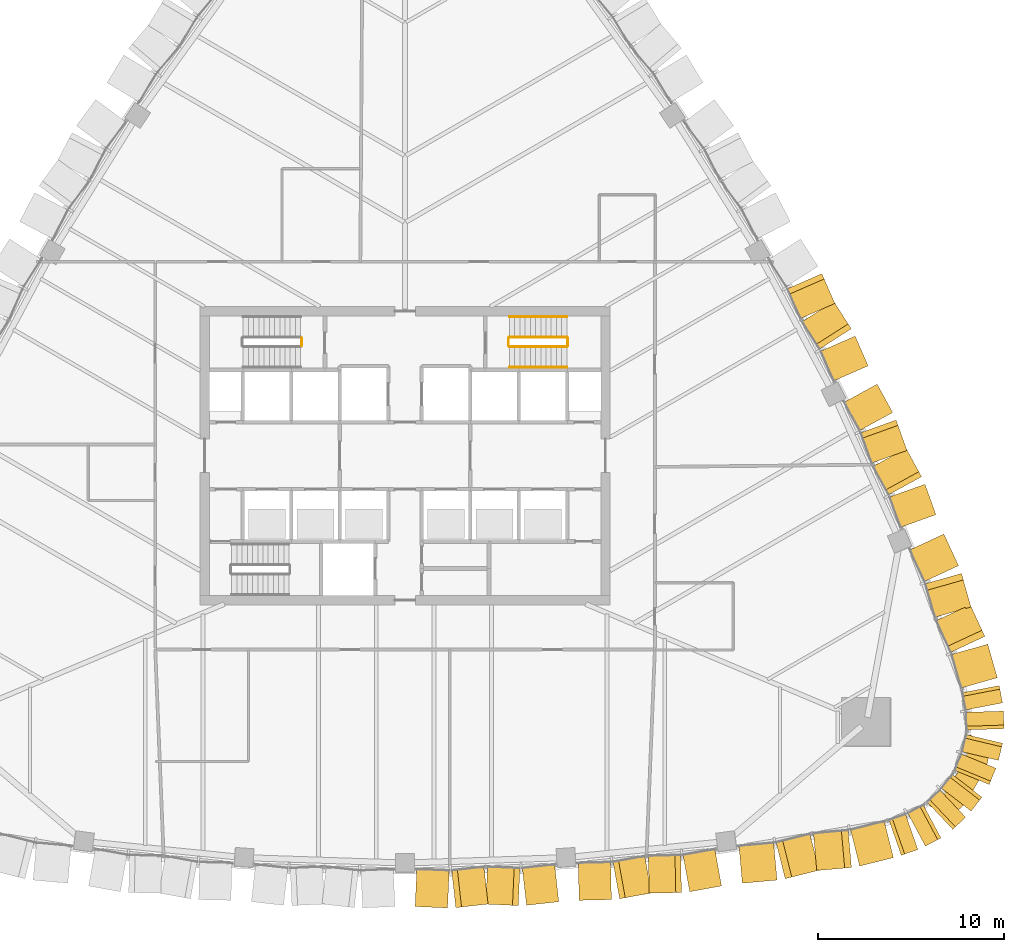
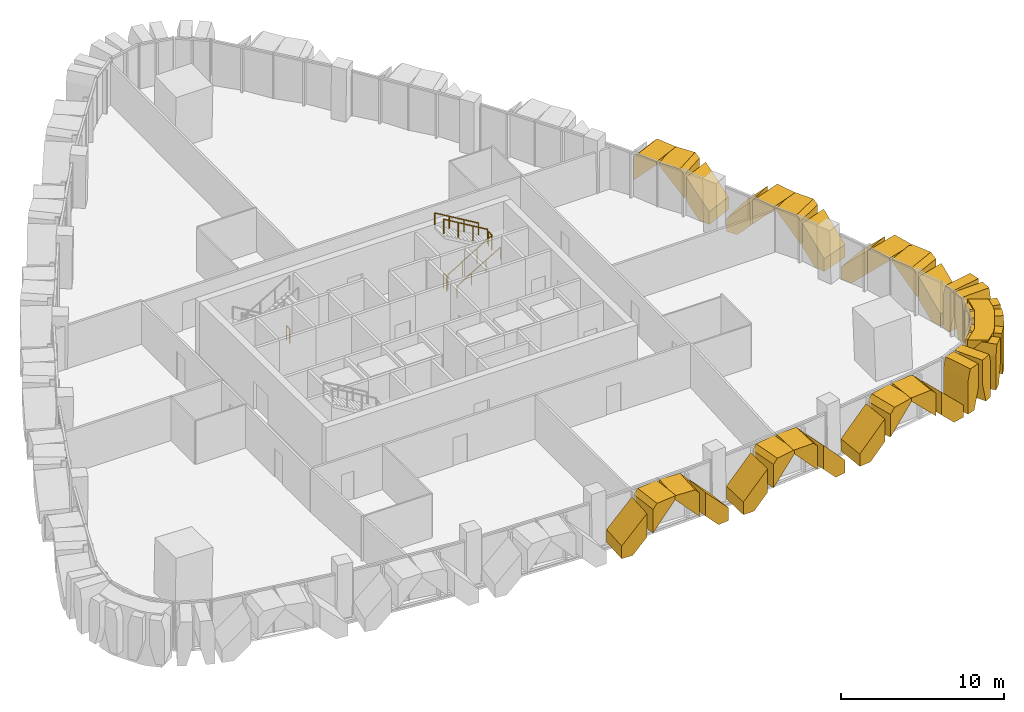
# One storey, part 16 of 18: 32 coverings, 7 railings.
"""IFC4 building model written with IfcOpenShell, lengths in metres."""

import ifcopenshell
import ifcopenshell.guid

model = None  # the IFC model being written
_history = None  # IfcOwnerHistory: only IFC2X3 demands one
_inside = {}  # id of a spatial element -> (the spatial element, [elements in it])
_under = {}  # id of a project, library or spatial element -> (it, [spatial elements below it])
_declared = {}  # id of a project -> (the project, [libraries it declares])
_typed = {}  # id of a type object -> (the type object, [elements of that type])
_made_of = {}  # id of a material, layer set ... -> (it, [elements and type objects made of it])


def new_model(schema):
    """Start an empty IFC model of exactly this schema.

    Asked for "IFC4X3", IfcOpenShell would pick the latest addendum, in which some entities
    have other attributes; the version numbers below select the first issue.
    IFC2X3 requires an IfcOwnerHistory on every rooted entity: one is made here for all.
    """
    global model, _history
    if schema == "IFC4X3":
        model = ifcopenshell.file(schema_version=(4, 3, 0, 0))
    else:
        model = ifcopenshell.file(schema=schema)
    _inside.clear()
    _under.clear()
    _declared.clear()
    _typed.clear()
    _made_of.clear()
    _history = None
    if model.schema == "IFC2X3":
        org = make("IfcOrganization", Name="unknown")
        user = make(
            "IfcPersonAndOrganization",
            ThePerson=make("IfcPerson", FamilyName="unknown"),
            TheOrganization=org,
        )
        app = make(
            "IfcApplication",
            ApplicationDeveloper=org,
            Version="unknown",
            ApplicationFullName="unknown",
            ApplicationIdentifier="unknown",
        )
        _history = make(
            "IfcOwnerHistory",
            OwningUser=user,
            OwningApplication=app,
            ChangeAction="ADDED",
            CreationDate=0,
        )
    return model


def make(cls, **values):
    """One entity of the class cls with the attributes given. An attribute that is None is left unset."""
    return model.create_entity(
        cls, **{name: value for name, value in values.items() if value is not None}
    )


def rooted(cls, **values):
    """An entity with a GlobalId (a new one), such as an element, a storey or a relation."""
    return make(cls, GlobalId=ifcopenshell.guid.new(), OwnerHistory=_history, **values)


def si_unit(unit_type, name, prefix=None):
    """IfcSIUnit, for example si_unit("LENGTHUNIT", "METRE", prefix="MILLI")."""
    return make("IfcSIUnit", UnitType=unit_type, Prefix=prefix, Name=name)


def assignment(units):
    """IfcUnitAssignment: the units of a project."""
    return None if units is None else make("IfcUnitAssignment", Units=units)


def point(xyz):
    """IfcCartesianPoint."""
    return None if xyz is None else make("IfcCartesianPoint", Coordinates=xyz)


def direction(xyz):
    """IfcDirection."""
    return None if xyz is None else make("IfcDirection", DirectionRatios=xyz)


def frame(location, z_axis=None, x_axis=None):
    """IfcAxis2Placement3D, a coordinate frame: its origin and axes. An axis left out is left unset."""
    return make(
        "IfcAxis2Placement3D",
        Location=point(location),
        Axis=direction(z_axis),
        RefDirection=direction(x_axis),
    )


def frame_2d(location, x_axis=None):
    """IfcAxis2Placement2D, a coordinate frame in the plane: its origin and x axis."""
    return make(
        "IfcAxis2Placement2D", Location=point(location), RefDirection=direction(x_axis)
    )


def origin():
    """The frame at (0, 0, 0) with its axes left unset."""
    return frame((0.0, 0.0, 0.0))


def origin_2d():
    """The frame at (0, 0) in the plane with its x axis left unset."""
    return frame_2d((0.0, 0.0))


def place(relative_to, where):
    """IfcLocalPlacement: puts the frame where relative to a parent placement (None: the world)."""
    return make(
        "IfcLocalPlacement", PlacementRelTo=relative_to, RelativePlacement=where
    )


def context(
    kind, dimensions, precision=None, world=None, true_north=None, identifier=None
):
    """IfcGeometricRepresentationContext, for example the 3D "Model" context."""
    return make(
        "IfcGeometricRepresentationContext",
        ContextIdentifier=identifier,
        ContextType=kind,
        CoordinateSpaceDimension=dimensions,
        Precision=precision,
        WorldCoordinateSystem=world,
        TrueNorth=true_north,
    )


def subcontext(parent, identifier, kind, view, scale=None):
    """IfcGeometricRepresentationSubContext, for example "Body" below "Model"."""
    return make(
        "IfcGeometricRepresentationSubContext",
        ContextIdentifier=identifier,
        ContextType=kind,
        ParentContext=parent,
        TargetScale=scale,
        TargetView=view,
    )


def project(units=None, contexts=None):
    """IfcProject with its units and contexts."""
    return rooted(
        "IfcProject",
        Name="project",
        RepresentationContexts=contexts,
        UnitsInContext=assignment(units),
    )


def spatial(cls, under=None, at=None, **own):
    """A site, building, storey or space (cls), placed at a placement, below another one or the project."""
    s = rooted(cls, ObjectPlacement=at, **own)
    if under is not None:
        _under.setdefault(under.id(), (under, []))[1].append(s)
    return s


def polyline(points):
    """IfcPolyline through the points."""
    return make("IfcPolyline", Points=[point(p) for p in points])


def profile(cls, at=None, kind="AREA", **sizes):
    """A parametric profile (cls). Its sizes go by their IFC names, for example OverallWidth=200.0."""
    return make(cls, ProfileType=kind, Position=at, **sizes)


def circle(**sizes):
    """IfcCircleProfileDef."""
    return profile("IfcCircleProfileDef", **sizes)


def outline(outer, holes=None, kind="AREA"):
    """IfcArbitraryClosedProfileDef: a profile drawn as a closed curve; with holes, ...WithVoids."""
    if holes is None:
        return make("IfcArbitraryClosedProfileDef", ProfileType=kind, OuterCurve=outer)
    return make(
        "IfcArbitraryProfileDefWithVoids",
        ProfileType=kind,
        OuterCurve=outer,
        InnerCurves=holes,
    )


def extrude(swept, where, along, depth):
    """IfcExtrudedAreaSolid: the profile swept, set in the frame where, extruded along a direction by depth."""
    return make(
        "IfcExtrudedAreaSolid",
        SweptArea=swept,
        Position=where,
        ExtrudedDirection=direction(along),
        Depth=depth,
    )


def shape(context_of_items, identifier, shape_type, items):
    """IfcShapeRepresentation: the items that make up one representation, for example the "Body"."""
    return make(
        "IfcShapeRepresentation",
        ContextOfItems=context_of_items,
        RepresentationIdentifier=identifier,
        RepresentationType=shape_type,
        Items=items,
    )


def material(Name=None, Category=None):
    """IfcMaterial."""
    return make("IfcMaterial", Name=Name, Category=Category)


def layer(
    of_material, thickness, ventilated=None, Name=None, Category=None, Priority=None
):
    """IfcMaterialLayer: one layer of a wall or slab, of a material (None: an air gap)."""
    return make(
        "IfcMaterialLayer",
        Material=of_material,
        LayerThickness=thickness,
        IsVentilated=ventilated,
        Name=Name,
        Category=Category,
        Priority=Priority,
    )


def layer_set(layers, Name=None):
    """IfcMaterialLayerSet."""
    return make("IfcMaterialLayerSet", MaterialLayers=layers, LayerSetName=Name)


def made_of(thing, what):
    """Note that an element or type object is made of a material, layer set ...; save() writes the relation."""
    if what is not None:
        _made_of.setdefault(what.id(), (what, []))[1].append(thing)
    return thing


def type_object(cls, material=None, **own):
    """A type object (cls), such as IfcWallType, which elements share."""
    return made_of(rooted(cls, **own), material)


def element(
    cls,
    number,
    at=None,
    inside=None,
    cuts=None,
    type_object=None,
    material=None,
    context=None,
    identifier="Body",
    shape_type=None,
    held_by="IfcProductDefinitionShape",
    body=None,
    shapes=None,
    **own,
):
    """One element of the class cls, such as IfcWall. Its Tag is "e" and its number.

    at: its placement. inside: the storey or other place that contains it. cuts: it is an
    opening in that element (IfcRelVoidsElement). A single representation is given by context,
    identifier, shape_type and body (its items); several are given by shapes. held_by: the class
    of the entity that holds the representations. save() writes the other relations.
    """
    e = rooted(cls, Tag="e%d" % number, ObjectPlacement=at, **own)
    if body is not None:
        shapes = [shape(context, identifier, shape_type, body)]
    if shapes is not None:
        e.Representation = make(held_by, Representations=shapes)
    if inside is not None:
        _inside.setdefault(inside.id(), (inside, []))[1].append(e)
    if cuts is not None:
        rooted(
            "IfcRelVoidsElement", RelatingBuildingElement=cuts, RelatedOpeningElement=e
        )
    if type_object is not None:
        _typed.setdefault(type_object.id(), (type_object, []))[1].append(e)
    return made_of(e, material)


def aggregate(whole, parts):
    """IfcRelAggregates: a whole, such as a stair, and the parts it consists of."""
    return rooted("IfcRelAggregates", RelatingObject=whole, RelatedObjects=parts)


def save(model, path):
    """Write the relations noted so far, then the file.

    IfcRelAggregates (storeys below a building ...), IfcRelContainedInSpatialStructure (elements
    in a storey), IfcRelDefinesByType, IfcRelAssociatesMaterial and IfcRelDeclares: one each for
    every whole, place, type object, material and project.
    """
    for whole, parts in _under.values():
        aggregate(whole, parts)
    for where, things in _inside.values():
        rooted(
            "IfcRelContainedInSpatialStructure",
            RelatedElements=things,
            RelatingStructure=where,
        )
    for kind, things in _typed.values():
        rooted("IfcRelDefinesByType", RelatedObjects=things, RelatingType=kind)
    for what, things in _made_of.values():
        rooted("IfcRelAssociatesMaterial", RelatedObjects=things, RelatingMaterial=what)
    for by, libraries in _declared.values():
        rooted("IfcRelDeclares", RelatingContext=by, RelatedDefinitions=libraries)
    model.write(path)


model = new_model("IFC4")

# Units and contexts
model_context = context("Model", 3, precision=1e-05, world=origin(), true_north=direction((0.0, 1.0)))
body_context = subcontext(model_context, "Body", "Model", "MODEL_VIEW")
ifc_project = project(units=[si_unit("LENGTHUNIT", "METRE"), si_unit("AREAUNIT", "SQUARE_METRE"), si_unit("VOLUMEUNIT", "CUBIC_METRE"), si_unit("PLANEANGLEUNIT", "RADIAN"), si_unit("MASSUNIT", "GRAM", prefix="KILO")], contexts=[model_context])

# Site, building, storey
site_placement = place(None, origin())
site = spatial("IfcSite", under=ifc_project, at=site_placement, CompositionType="ELEMENT")
building_placement = place(site_placement, origin())
building = spatial("IfcBuilding", under=site, at=building_placement, Name="Sierra Prisma Convention Tower", CompositionType="ELEMENT")
storey_placement = place(building_placement, frame((0.0, 0.0, 137.800048828125)))
storey = spatial("IfcBuildingStorey", under=building, at=storey_placement, Name="L29", CompositionType="ELEMENT", Elevation=137.800048828125)

# Coverings
ifc_material_1 = material(Name="Aluminium composite bronze anodised", Category="aluminium")
ifc_layer_1 = layer(ifc_material_1, 1.199951171875)
ifc_layer_set_1 = layer_set([ifc_layer_1], Name="Bronze corner pier")
covering_type_1 = type_object("IfcCoveringType", Name="Bronze corner pier", PredefinedType="CLADDING", material=ifc_layer_set_1)
covering_1_placement = place(storey_placement, frame((0.0, 0.0, -0.60009765625)))
element("IfcCovering", 1, at=covering_1_placement, inside=storey, type_object=covering_type_1, Name="Corner pier SE L29.1", PredefinedType="CLADDING", context=body_context, shape_type="SweptSolid", body=[
    extrude(outline(polyline([(31.10302734375, -16.857177734375), (30.150146484375, -18.50732421875), (29.89208984375, -18.818359375), (29.208984375, -19.404052734375), (28.107177734375, -18.76806640625), (29.111083984375, -17.907470703125), (30.063720703125, -16.257080078125), (30.30712890625, -14.95751953125), (31.408935546875, -15.593505859375), (31.243408203125, -16.47802734375), (31.10302734375, -16.857177734375)])), origin(), (0.0, 0.0, 1.0), 4.0),
])
ifc_material_2 = material(Name="Aluminium 6063-T6 bronze anodised", Category="aluminium")
ifc_layer_2 = layer(ifc_material_2, 2.0)
ifc_layer_set_2 = layer_set([ifc_layer_2], Name="Bronze crystal chevron frame")
covering_type_2 = type_object("IfcCoveringType", Name="Bronze crystal chevron frame", PredefinedType="CLADDING", material=ifc_layer_set_2)
covering_2_placement = place(storey_placement, frame((0.53955078125, -24.18017578125, 0.0), z_axis=(-0.044966388196, -0.998988500287, -1.5086102e-05), x_axis=(0.9989885004, -0.044966388201, -8.08e-10)))
element("IfcCovering", 2, at=covering_2_placement, inside=storey, type_object=covering_type_2, Name="CW-2 chevron frame S4.1.1", PredefinedType="CLADDING", context=body_context, shape_type="SweptSolid", body=[
    extrude(outline(polyline([(0.0, 0.0), (0.7610218468249161, 1.0587911840678754e-22), (1.7424858923310593, 1.0512695327774813), (1.74248589091043, 2.809570313827395), (-7.621927796076837e-10, 0.9433593748926502), (0.0, 0.0)])), origin(), (0.0, 0.0, -1.0), 2.0),
])
covering_3_placement = place(storey_placement, frame((2.723388671875, -24.24365234375, 2.94873046875), z_axis=(0.111829033778, -0.99372745866, -7.1477924e-05), x_axis=(-7.993307e-06, 7.1029576e-05, -0.999999997445)))
element("IfcCovering", 3, at=covering_3_placement, inside=storey, type_object=covering_type_2, Name="CW-2 chevron frame S4.1.2", PredefinedType="CLADDING", context=body_context, shape_type="SweptSolid", body=[
    extrude(outline(polyline([(0.0, 0.0), (1.7583007767583383, -5.957354771606905e-21), (-0.1079101576669752, 1.7423717587900127), (-0.3312988289713184, 1.7423717587900127), (-0.3312988390959555, 0.30929462095999105), (0.0, 0.0)])), origin(), (0.0, 0.0, -1.0), 2.0),
])
covering_4_placement = place(storey_placement, frame((4.330810546875, -24.052978515625, 3.280029296875), z_axis=(-0.04511888619, -0.998981624332, -1.884709e-05), x_axis=(8.5036e-07, 1.8827896e-05, -0.999999999822)))
element("IfcCovering", 4, at=covering_4_placement, inside=storey, type_object=covering_type_2, Name="CW-2 chevron frame S4.2.1", PredefinedType="CLADDING", context=body_context, shape_type="SweptSolid", body=[
    extrude(outline(polyline([(0.0, 0.0), (0.22338867183532474, 0.0), (2.089599609121555, 1.7424968906520206), (0.3312988281838408, 1.7424968906520206), (-7.039214558801025e-10, 1.4331017458417907), (0.0, 0.0)])), origin(), (0.0, 0.0, -1.0), 2.0),
])
covering_5_placement = place(storey_placement, frame((8.24609375, -23.921875, 0.0), z_axis=(0.11179352973, -0.993731455356, -3.6690323e-05), x_axis=(4.101741e-06, -3.6460328e-05, 0.999999999327)))
element("IfcCovering", 5, at=covering_5_placement, inside=storey, type_object=covering_type_2, Name="CW-2 chevron frame S4.2.2", PredefinedType="CLADDING", context=body_context, shape_type="SweptSolid", body=[
    extrude(outline(polyline([(0.0, 0.0), (0.9433593743650345, -7.990564717262247e-22), (2.8095703120241047, 1.742371758524), (1.0512695319575989, 1.742371758524), (-3.6369202561516e-09, 0.760861930586385), (0.0, 0.0)])), origin(), (0.0, 0.0, -1.0), 2.0),
])
covering_6_placement = place(storey_placement, frame((9.33544921875, -23.84912109375, 0.0), z_axis=(0.021944138804, -0.999759198158, 2.1698555e-05), x_axis=(0.999759198393, 0.021944138809, -1.68e-09)))
element("IfcCovering", 6, at=covering_6_placement, inside=storey, type_object=covering_type_2, Name="CW-2 chevron frame S5.1.1", PredefinedType="CLADDING", context=body_context, shape_type="SweptSolid", body=[
    extrude(outline(polyline([(0.0, 0.0), (0.7592147337020639, 5.293955920339377e-23), (1.7345490392154026, 1.0488281281601242), (1.7345490362553246, 2.8112792996202196), (-1.58849449779161e-09, 0.9458007810273458), (0.0, 0.0)])), origin(), (0.0, 0.0, -1.0), 2.0),
])
covering_7_placement = place(storey_placement, frame((11.5107421875, -23.7666015625, 2.951171875), z_axis=(0.178199284081, -0.983994413952, 9.2006189e-05), x_axis=(1.6395437e-05, -9.0533576e-05, -0.999999995767)))
element("IfcCovering", 7, at=covering_7_placement, inside=storey, type_object=covering_type_2, Name="CW-2 chevron frame S5.1.2", PredefinedType="CLADDING", context=body_context, shape_type="SweptSolid", body=[
    extrude(outline(polyline([(0.0, 0.0), (1.7624511644153031, -5.971416842020307e-21), (-0.10302734609775334, 1.7343069524499428), (-0.32885742326691186, 1.7343069524499428), (-0.3288574400979886, 0.30571234446349704), (0.0, 0.0)])), origin(), (0.0, 0.0, -1.0), 2.0),
])
covering_8_placement = place(storey_placement, frame((13.09375, -23.469970703125, 3.280029296875), z_axis=(0.021950125632, -0.999759065514, -5.391387e-05), x_axis=(-1.183416e-06, 5.3900881e-05, -0.999999998547)))
element("IfcCovering", 8, at=covering_8_placement, inside=storey, type_object=covering_type_2, Name="CW-2 chevron frame S5.2.1", PredefinedType="CLADDING", context=body_context, shape_type="SweptSolid", body=[
    extrude(outline(polyline([(0.0, 0.0), (0.22583007779678926, -4.782137916322191e-23), (2.091308591666483, 1.734304959278657), (0.32885742235294585, 1.734304959278657), (-5.779347884815437e-09, 1.428564491661065), (0.0, 0.0)])), origin(), (0.0, 0.0, -1.0), 2.0),
])
covering_9_placement = place(storey_placement, frame((16.9755859375, -23.078369140625, 0.0), z_axis=(0.17818566224, -0.983996884988, -1.0263425e-05), x_axis=(1.828795e-06, -1.0099178e-05, 0.999999999947)))
element("IfcCovering", 9, at=covering_9_placement, inside=storey, type_object=covering_type_2, Name="CW-2 chevron frame S5.2.2", PredefinedType="CLADDING", context=body_context, shape_type="SweptSolid", body=[
    extrude(outline(polyline([(0.0, 0.0), (0.9458007812001857, 0.0), (2.8112792968374145, 1.7345471854793744), (1.0488281250552407, 1.7345471854793744), (-2.8528154531779227e-10, 0.7592151672629553), (0.0, 0.0)])), origin(), (0.0, 0.0, -1.0), 2.0),
])
covering_10_placement = place(storey_placement, frame((18.089599609375, -22.9296875, 0.0), z_axis=(0.088830684858, -0.996046738824, 5.9201894e-05), x_axis=(0.99604674057, 0.088830685013, -1.1604e-08)))
element("IfcCovering", 10, at=covering_10_placement, inside=storey, type_object=covering_type_2, Name="CW-2 chevron frame S6.1.1", PredefinedType="CLADDING", context=body_context, shape_type="SweptSolid", body=[
    extrude(outline(polyline([(0.0, 0.0), (0.7877685058851802, -8.470329472543003e-22), (1.870927347576538, 1.0854492423623243), (1.870927327864554, 2.7841797081354143), (-1.0552908965476134e-08, 0.9094238265312965), (0.0, 0.0)])), origin(), (0.0, 0.0, -1.0), 2.0),
])
covering_11_placement = place(storey_placement, frame((20.390380859375, -22.689453125, 2.91455078125), z_axis=(0.243609124844, -0.969873493952, 4.801766e-06), x_axis=(1.169754e-06, -4.657105e-06, -0.999999999988)))
element("IfcCovering", 11, at=covering_11_placement, inside=storey, type_object=covering_type_2, Name="CW-2 chevron frame S6.1.2", PredefinedType="CLADDING", context=body_context, shape_type="SweptSolid", body=[
    extrude(outline(polyline([(0.0, 0.0), (1.6987304687304163, 0.0), (-0.17578125000640032, 1.8710663859163998), (-0.3654785156292134, 1.8710663859163998), (-0.3654785156727548, 0.3647510776846089), (0.0, 0.0)])), origin(), (0.0, 0.0, -1.0), 2.0),
])
covering_12_placement = place(storey_placement, frame((22.08251953125, -22.25439453125, 3.280029296875), z_axis=(0.088859610825, -0.996044160078, -2.7163386e-05), x_axis=(-2.413728e-06, 2.7055932e-05, -0.999999999631)))
element("IfcCovering", 12, at=covering_12_placement, inside=storey, type_object=covering_type_2, Name="CW-2 chevron frame S6.2.1", PredefinedType="CLADDING", context=body_context, shape_type="SweptSolid", body=[
    extrude(outline(polyline([(0.0, 0.0), (0.18969726555501598, 0.0), (2.0642089838831303, 1.8709273612492765), (0.3654785157598341, 1.8709273612492765), (-1.3933755773011303e-09, 1.5061978595433552), (0.0, 0.0)])), origin(), (0.0, 0.0, -1.0), 2.0),
])
covering_13_placement = place(storey_placement, frame((26.197998046875, -21.558349609375, 0.0), z_axis=(0.243612929122, -0.969872538398, 5.144618e-06), x_axis=(-1.253296e-06, 4.989624e-06, 0.999999999987)))
element("IfcCovering", 13, at=covering_13_placement, inside=storey, type_object=covering_type_2, Name="CW-2 chevron frame S6.2.2", PredefinedType="CLADDING", context=body_context, shape_type="SweptSolid", body=[
    extrude(outline(polyline([(0.0, 0.0), (0.9094238281129651, 0.0), (2.7841796874918843, 1.8710663859088896), (1.0854492187643645, 1.8710663859088896), (-6.90302772572847e-11, 0.7876491540476577), (0.0, 0.0)])), origin(), (0.0, 0.0, -1.0), 2.0),
])
covering_14_placement = place(storey_placement, frame((26.614501953125, -21.43408203125, 0.0), z_axis=(0.327882439408, -0.944718532341, -2.406168e-05), x_axis=(0.944718532615, 0.327882439503, -5.078e-09)))
element("IfcCovering", 14, at=covering_14_placement, inside=storey, type_object=covering_type_2, Name="CW-2 chevron frame SE1.1.1", PredefinedType="CLADDING", context=body_context, shape_type="SweptSolid", body=[
    extrude(outline(polyline([(0.0, 0.0), (0.5610857650614376, 0.0), (0.9435044881945847, 1.4318847708262332), (0.9435044788100634, 3.2800293015412287), (0.19510928297204655, 3.280029297121742), (-1.2944936835936781e-08, 2.5493164055120183), (0.0, 0.0)])), origin(), (0.0, 0.0, -1.0), 2.0),
])
covering_15_placement = place(storey_placement, frame((27.912109375, -20.94677734375, 3.280029296875), z_axis=(0.471464797791, -0.881884881584, -8.823459e-06), x_axis=(-4.159951e-06, 7.781275e-06, -0.999999999961)))
element("IfcCovering", 15, at=covering_15_placement, inside=storey, type_object=covering_type_2, Name="CW-2 chevron frame SE1.1.2", PredefinedType="CLADDING", context=body_context, shape_type="SweptSolid", body=[
    extrude(outline(polyline([(0.0, 0.0), (1.848144531178058, 1.5654393092566049e-21), (3.2800292970673786, 0.3826116679632174), (3.2800292968382756, 0.9434747407624894), (0.7307128906875119, 0.9434747407624894), (-9.843357319305946e-11, 0.7482913739863926), (0.0, 0.0)])), origin(), (0.0, 0.0, -1.0), 2.0),
])
covering_16_placement = place(storey_placement, frame((29.38232421875, -20.04248046875, 0.0), z_axis=(0.686908620747, -0.726743797127, 9.03842e-06), x_axis=(0.726743797156, 0.686908620775, 1.538e-09)))
element("IfcCovering", 16, at=covering_16_placement, inside=storey, type_object=covering_type_2, Name="CW-2 chevron frame SE2.1.1", PredefinedType="CLADDING", context=body_context, shape_type="SweptSolid", body=[
    extrude(outline(polyline([(0.0, 0.0), (0.5611061653941773, 4.235164736271502e-22), (0.9436439754368072, 1.431884764067758), (0.94364397827908, 3.280029295242268), (0.19532175494037118, 3.2800292977981194), (3.920609213524042e-09, 2.5493164061458695), (0.0, 0.0)])), origin(), (0.0, 0.0, -1.0), 2.0),
])
covering_17_placement = place(storey_placement, frame((30.365478515625, -19.0654296875, 3.280029296875), z_axis=(0.792162356783, -0.610310412984, -1.7306221e-05), x_axis=(-1.3709337e-05, 1.0562167e-05, -0.99999999985)))
element("IfcCovering", 17, at=covering_17_placement, inside=storey, type_object=covering_type_2, Name="CW-2 chevron frame SE2.1.2", PredefinedType="CLADDING", context=body_context, shape_type="SweptSolid", body=[
    extrude(outline(polyline([(0.0, 0.0), (1.8481445309732354, 0.0), (3.28002929675566, 0.38245367182979495), (3.2800292966351394, 0.9436824710149542), (0.7307128907669065, 0.9436824710149542), (-1.2763626259055803e-09, 0.7483547327687764), (0.0, 0.0)])), origin(), (0.0, 0.0, -1.0), 2.0),
])
covering_18_placement = place(storey_placement, frame((31.33447265625, -17.63720703125, 0.0), z_axis=(0.924653168465, -0.38081034357, -1.6689674e-05), x_axis=(0.380810343623, 0.924653168593, -1.093e-09)))
element("IfcCovering", 18, at=covering_18_placement, inside=storey, type_object=covering_type_2, Name="CW-2 chevron frame SE3.1.1", PredefinedType="CLADDING", context=body_context, shape_type="SweptSolid", body=[
    extrude(outline(polyline([(0.0, 0.0), (0.561058846174562, 8.470329472543003e-22), (0.9436677841692208, 1.431884766755361), (0.9436677821497863, 3.280029297747965), (0.19540783322361177, 3.2800292975263345), (-2.785592488767034e-09, 2.5493164058949502), (0.0, 0.0)])), origin(), (0.0, 0.0, -1.0), 2.0),
])
covering_19_placement = place(storey_placement, frame((31.830078125, -16.342529296875, 3.280029296875), z_axis=(0.972873398193, -0.231338174322, -1.3742683e-05), x_axis=(-1.336989e-05, 3.179207e-06, -0.999999999906)))
element("IfcCovering", 19, at=covering_19_placement, inside=storey, type_object=covering_type_2, Name="CW-2 chevron frame SE3.1.2", PredefinedType="CLADDING", context=body_context, shape_type="SweptSolid", body=[
    extrude(outline(polyline([(0.0, 0.0), (1.8481445310754785, 0.0), (3.2800292978375616, 0.3824227241453425), (3.2800292968427938, 0.9435596448770163), (0.7307128908335275, 0.9435596448770163), (2.7913653144280687e-10, 0.7483220799064102), (0.0, 0.0)])), origin(), (0.0, 0.0, -1.0), 2.0),
])
covering_20_placement = place(storey_placement, frame((32.127197265625, -14.642333984375, 0.0), z_axis=(0.999477705969, 0.032315861096, 1.9789532e-05), x_axis=(-0.032315861102, 0.999477706165, -2.309e-09)))
element("IfcCovering", 20, at=covering_20_placement, inside=storey, type_object=covering_type_2, Name="CW-2 chevron frame SE4.1.1", PredefinedType="CLADDING", context=body_context, shape_type="SweptSolid", body=[
    extrude(outline(polyline([(0.0, 0.0), (0.5610819494099113, 5.293955920339377e-23), (0.9436088496117816, 1.4318847679997908), (0.9436088453438647, 3.2800292988879005), (0.1951715987766649, 3.280029297485684), (-5.88713190831699e-09, 2.5493164057508113), (0.0, 0.0)])), origin(), (0.0, 0.0, -1.0), 2.0),
])
covering_21_placement = place(storey_placement, frame((32.04736328125, -13.258544921875, 3.280029296875), z_axis=(0.982103219794, 0.188343477499, -1.2397833e-05), x_axis=(-1.2175952e-05, -2.335051e-06, -0.999999999923)))
element("IfcCovering", 21, at=covering_21_placement, inside=storey, type_object=covering_type_2, Name="CW-2 chevron frame SE4.1.2", PredefinedType="CLADDING", context=body_context, shape_type="SweptSolid", body=[
    extrude(outline(polyline([(0.0, 0.0), (1.8481445311079645, 0.0), (3.2800292961986752, 0.38257279815569034), (3.280029296681348, 0.9436469419566917), (0.7307128906272704, 0.9436469419566917), (-1.2974529684773153e-09, 0.748483149793086), (0.0, 0.0)])), origin(), (0.0, 0.0, -1.0), 2.0),
])
covering_22_placement = place(storey_placement, frame((31.76904296875, -11.908935546875, 0.0), z_axis=(0.961751941447, 0.273921891677, -1.9571877e-05), x_axis=(-0.27392189173, 0.961751941631, -1.268e-09)))
element("IfcCovering", 22, at=covering_22_placement, inside=storey, type_object=covering_type_2, Name="CW-2 chevron frame NE1.1.1", PredefinedType="CLADDING", context=body_context, shape_type="SweptSolid", body=[
    extrude(outline(polyline([(0.0, 0.0), (0.7877107488209008, -8.470329472543003e-22), (1.8708676403620568, 1.0854492213307687), (1.8708676382075098, 2.784179689755412), (-1.1534474177596951e-09, 0.9094238279508189), (0.0, 0.0)])), origin(), (0.0, 0.0, -1.0), 2.0),
])
covering_23_placement = place(storey_placement, frame((31.10205078125, -9.69384765625, 2.91455078125), z_axis=(0.907020939927, 0.421085519223, -5.925838e-06), x_axis=(-5.374859e-06, -2.495284e-06, -0.999999999982)))
element("IfcCovering", 23, at=covering_23_placement, inside=storey, type_object=covering_type_2, Name="CW-2 chevron frame NE1.1.2", PredefinedType="CLADDING", context=body_context, shape_type="SweptSolid", body=[
    extrude(outline(polyline([(0.0, 0.0), (1.698730468720174, -7.194403377679958e-22), (-0.17578125000974767, 1.8709827939692194), (-0.365478515631417, 1.8709827939692194), (-0.3654785156977302, 0.36471586064898054), (0.0, 0.0)])), origin(), (0.0, 0.0, -1.0), 2.0),
])
covering_24_placement = place(storey_placement, frame((30.357421875, -8.11328125, 3.280029296875), z_axis=(0.961755181686, 0.273910515487, -2.422993e-06), x_axis=(-2.330326e-06, -6.63683e-07, -0.999999999997)))
element("IfcCovering", 24, at=covering_24_placement, inside=storey, type_object=covering_type_2, Name="CW-2 chevron frame NE1.2.1", PredefinedType="CLADDING", context=body_context, shape_type="SweptSolid", body=[
    extrude(outline(polyline([(0.0, 0.0), (0.18969726562444317, 0.0), (2.0642089843710867, 1.87086764185917), (0.3654785156260728, 1.87086764185917), (-1.1086760089442472e-11, 1.5063388719032151), (0.0, 0.0)])), origin(), (0.0, 0.0, -1.0), 2.0),
])
covering_25_placement = place(storey_placement, frame((28.902587890625, -4.201171875, 0.0), z_axis=(0.907028394206, 0.42106946136, -2.852051e-05), x_axis=(2.5868912e-05, 1.2009116e-05, 0.999999999593)))
element("IfcCovering", 25, at=covering_25_placement, inside=storey, type_object=covering_type_2, Name="CW-2 chevron frame NE1.2.2", PredefinedType="CLADDING", context=body_context, shape_type="SweptSolid", body=[
    extrude(outline(polyline([(0.0, 0.0), (0.9094238277551285, 1.540623890880014e-21), (2.784179687250573, 1.8709827937143588), (1.0854492191914629, 1.8709827937143588), (-2.1215235417696723e-09, 0.7875433133024082), (0.0, 0.0)])), origin(), (0.0, 0.0, -1.0), 2.0),
])
covering_26_placement = place(storey_placement, frame((28.474365234375, -3.162109375, 0.0), z_axis=(0.941261231869, 0.337679275863, 5.674478e-06), x_axis=(-0.337679275868, 0.941261231885, -1.15e-10)))
element("IfcCovering", 26, at=covering_26_placement, inside=storey, type_object=covering_type_2, Name="CW-2 chevron frame NE2.1.1", PredefinedType="CLADDING", context=body_context, shape_type="SweptSolid", body=[
    extrude(outline(polyline([(0.0, 0.0), (0.7591881995576577, -2.117582368135751e-22), (1.7344498144354068, 1.0488281252161153), (1.7344498142329612, 2.81127929706274), (-1.086403529335402e-10, 0.9458007812347728), (0.0, 0.0)])), origin(), (0.0, 0.0, -1.0), 2.0),
])
covering_27_placement = place(storey_placement, frame((27.70654296875, -1.125244140625, 2.951171875), z_axis=(0.876805403389, 0.480845385125, -1.3842591e-05), x_axis=(-1.2137258e-05, -6.656146e-06, -0.999999999904)))
element("IfcCovering", 27, at=covering_27_placement, inside=storey, type_object=covering_type_2, Name="CW-2 chevron frame NE2.1.2", PredefinedType="CLADDING", context=body_context, shape_type="SweptSolid", body=[
    extrude(outline(polyline([(0.0, 0.0), (1.762451171706142, 0.0), (-0.10302734380314386, 1.7344210678658514), (-0.3288574219065074, 1.7344210678658514), (-0.32885742228749654, 0.3057131969937708), (0.0, 0.0)])), origin(), (0.0, 0.0, -1.0), 2.0),
])
covering_28_placement = place(storey_placement, frame((26.923583984375, 0.2822265625, 3.280029296875), z_axis=(0.941200214962, 0.337849308322, -1.4877855e-05), x_axis=(-1.4003041e-05, -5.026473e-06, -0.999999999889)))
element("IfcCovering", 28, at=covering_28_placement, inside=storey, type_object=covering_type_2, Name="CW-2 chevron frame NE2.2.1", PredefinedType="CLADDING", context=body_context, shape_type="SweptSolid", body=[
    extrude(outline(polyline([(0.0, 0.0), (0.2258300781000062, 0.0), (2.0913085935913367, 1.734302484862462), (0.3288574219113964, 1.734302484862462), (-4.4010721432129267e-10, 1.4287253093780212), (0.0, 0.0)])), origin(), (0.0, 0.0, -1.0), 2.0),
])
covering_29_placement = place(storey_placement, frame((25.32177734375, 3.83984375, 0.0), z_axis=(0.876816372307, 0.480825382171, -3.338507e-05), x_axis=(2.9272576e-05, 1.6052389e-05, 0.999999999443)))
element("IfcCovering", 29, at=covering_29_placement, inside=storey, type_object=covering_type_2, Name="CW-2 chevron frame NE2.2.2", PredefinedType="CLADDING", context=body_context, shape_type="SweptSolid", body=[
    extrude(outline(polyline([(0.0, 0.0), (0.9458007807229227, 0.0), (2.811279296477311, 1.7344210675183747), (1.0488281255844925, 1.7344210675183747), (-3.0185171279959464e-09, 0.7592559070702732), (0.0, 0.0)])), origin(), (0.0, 0.0, -1.0), 2.0),
])
covering_30_placement = place(storey_placement, frame((24.840087890625, 4.8193359375, 0.0), z_axis=(0.916501368437, 0.40003155082, 1.168828e-06), x_axis=(-0.40003155082, 0.916501368438, -5e-12)))
element("IfcCovering", 30, at=covering_30_placement, inside=storey, type_object=covering_type_2, Name="CW-2 chevron frame NE3.1.1", PredefinedType="CLADDING", context=body_context, shape_type="SweptSolid", body=[
    extrude(outline(polyline([(0.0, 0.0), (0.7610556038817442, -5.293955920339377e-23), (1.7424134591119456, 1.0512695312591682), (1.7424134591034184, 2.8095703125079674), (-4.575017879240238e-12, 0.9433593749993556), (0.0, 0.0)])), origin(), (0.0, 0.0, -1.0), 2.0),
])
covering_31_placement = place(storey_placement, frame((23.934326171875, 6.8076171875, 2.94873046875), z_axis=(0.842652002776, 0.538458542467, 1.6191797e-05), x_axis=(1.364405e-05, 8.718611e-06, -0.999999999869)))
element("IfcCovering", 31, at=covering_31_placement, inside=storey, type_object=covering_type_2, Name="CW-2 chevron frame NE3.1.2", PredefinedType="CLADDING", context=body_context, shape_type="SweptSolid", body=[
    extrude(outline(polyline([(0.0, 0.0), (1.7583007810195095, -1.4893386929017263e-21), (-0.1079101563227124, 1.7424329405102958), (-0.331298828168429, 1.7424329405102958), (-0.331298828687977, 0.30916465163337875), (0.0, 0.0)])), origin(), (0.0, 0.0, -1.0), 2.0),
])
covering_32_placement = place(storey_placement, frame((23.054443359375, 8.166259765625, 3.280029296875), z_axis=(0.916502969797, 0.400027881203, -2.4766267e-05), x_axis=(-2.2698357e-05, -9.907197e-06, -0.999999999693)))
element("IfcCovering", 32, at=covering_32_placement, inside=storey, type_object=covering_type_2, Name="CW-2 chevron frame NE3.2.1", PredefinedType="CLADDING", context=body_context, shape_type="SweptSolid", body=[
    extrude(outline(polyline([(0.0, 0.0), (0.2233886718064903, -3.7843513024301016e-22), (2.0895996089373616, 1.7424134590981588), (0.33129882822660406, 1.7424134590981588), (-1.2155048309236543e-09, 1.4331180284114247), (0.0, 0.0)])), origin(), (0.0, 0.0, -1.0), 2.0),
])

# Railings
ifc_material_3 = material(Name="Stainless steel", Category="steel")
railing_type_1 = type_object("IfcRailingType", Name="Exit stair handrail", PredefinedType="HANDRAIL", material=ifc_material_3)
railing_1_placement = place(storey_placement, frame((5.60009765625, 4.75, 0.16650390625)))
element("IfcRailing", 33, at=railing_1_placement, inside=storey, type_object=railing_type_1, Name="L29 S4 stair handrail 1", PredefinedType="HANDRAIL", context=body_context, shape_type="SweptSolid", body=[
    extrude(circle(Radius=0.02392578125, at=origin_2d()), frame((0.0, 0.0, 0.8759765625), z_axis=(0.859260807169, 0.0, 0.511537745687), x_axis=(0.0, 1.0, 0.0)), (0.0, 0.0, 1.0), 3.584228515625),
    extrude(circle(Radius=0.02099609375, at=origin_2d()), origin(), (0.0, 0.0, 1.0), 0.851806640625),
    extrude(circle(Radius=0.02099609375, at=origin_2d()), frame((1.026611328125, 0.0, 0.611083984375)), (0.0, 0.0, 1.0), 0.851806640625),
    extrude(circle(Radius=0.02099609375, at=origin_2d()), frame((2.05322265625, 0.0, 1.222412109375)), (0.0, 0.0, 1.0), 0.851806640625),
    extrude(circle(Radius=0.02099609375, at=origin_2d()), frame((3.079833984375, 0.0, 1.83349609375)), (0.0, 0.0, 1.0), 0.851806640625),
])
railing_2_placement = place(storey_placement, frame((8.679931640625, 7.449951171875, 2.16650390625)))
element("IfcRailing", 34, at=railing_2_placement, inside=storey, type_object=railing_type_1, Name="L29 S4 stair handrail 2", PredefinedType="HANDRAIL", context=body_context, shape_type="SweptSolid", body=[
    extrude(circle(Radius=0.02392578125, at=origin_2d()), frame((0.0, 0.0, 0.8759765625), z_axis=(-0.859260807169, 0.0, 0.511537745687), x_axis=(0.0, -1.0, 0.0)), (0.0, 0.0, 1.0), 3.584228515625),
    extrude(circle(Radius=0.02099609375, at=origin_2d()), origin(), (0.0, 0.0, 1.0), 0.851806640625),
    extrude(circle(Radius=0.02099609375, at=origin_2d()), frame((-1.026611328125, 0.0, 0.611083984375)), (0.0, 0.0, 1.0), 0.851806640625),
    extrude(circle(Radius=0.02099609375, at=origin_2d()), frame((-2.05322265625, 0.0, 1.222412109375)), (0.0, 0.0, 1.0), 0.851806640625),
    extrude(circle(Radius=0.02099609375, at=origin_2d()), frame((-3.079833984375, 0.0, 1.83349609375)), (0.0, 0.0, 1.0), 0.851806640625),
])
ifc_material_4 = material(Name="Stainless steel", Category="steel")
railing_type_2 = type_object("IfcRailingType", Name="Stair guard 1100", PredefinedType="GUARDRAIL", material=ifc_material_4)
railing_3_placement = place(storey_placement, frame((-5.550048828125, 6.300048828125, 0.0)))
element("IfcRailing", 35, at=railing_3_placement, inside=storey, type_object=railing_type_2, Name="L29 S3 stair guard 4", PredefinedType="GUARDRAIL", context=body_context, shape_type="SweptSolid", body=[
    extrude(circle(Radius=0.02392578125, at=origin_2d()), frame((0.0, 0.0, 1.076171875), z_axis=(0.0, -1.0, 0.0), x_axis=(1.0, 0.0, 0.0)), (0.0, 0.0, 1.0), 0.400146484375),
    extrude(circle(Radius=0.02099609375, at=origin_2d()), origin(), (0.0, 0.0, 1.0), 1.052001953125),
    extrude(circle(Radius=0.02099609375, at=origin_2d()), frame((0.0, -0.400146484375, 0.0)), (0.0, 0.0, 1.0), 1.052001953125),
])
railing_4_placement = place(storey_placement, frame((5.60009765625, 5.85009765625, 0.16650390625)))
element("IfcRailing", 36, at=railing_4_placement, inside=storey, type_object=railing_type_2, Name="L29 S4 stair guard 1", PredefinedType="GUARDRAIL", context=body_context, shape_type="SweptSolid", body=[
    extrude(circle(Radius=0.02392578125, at=origin_2d()), frame((0.0, 0.0, 1.076171875), z_axis=(0.859260807169, 0.0, 0.511537745687), x_axis=(0.0, 1.0, 0.0)), (0.0, 0.0, 1.0), 3.584228515625),
    extrude(circle(Radius=0.02099609375, at=origin_2d()), origin(), (0.0, 0.0, 1.0), 1.052001953125),
    extrude(circle(Radius=0.02099609375, at=origin_2d()), frame((1.026611328125, 0.0, 0.611083984375)), (0.0, 0.0, 1.0), 1.052001953125),
    extrude(circle(Radius=0.02099609375, at=origin_2d()), frame((2.05322265625, 0.0, 1.222412109375)), (0.0, 0.0, 1.0), 1.052001953125),
    extrude(circle(Radius=0.02099609375, at=origin_2d()), frame((3.079833984375, 0.0, 1.83349609375)), (0.0, 0.0, 1.0), 1.052001953125),
])
railing_5_placement = place(storey_placement, frame((8.72998046875, 5.89990234375, 2.0)))
element("IfcRailing", 37, at=railing_5_placement, inside=storey, type_object=railing_type_2, Name="L29 S4 stair guard 2", PredefinedType="GUARDRAIL", context=body_context, shape_type="SweptSolid", body=[
    extrude(circle(Radius=0.02392578125, at=origin_2d()), frame((0.0, 0.0, 1.076171875), z_axis=(0.0, 1.0, 0.0), x_axis=(-1.0, 0.0, 0.0)), (0.0, 0.0, 1.0), 0.400146484375),
    extrude(circle(Radius=0.02099609375, at=origin_2d()), origin(), (0.0, 0.0, 1.0), 1.052001953125),
    extrude(circle(Radius=0.02099609375, at=origin_2d()), frame((0.0, 0.400146484375, 0.0)), (0.0, 0.0, 1.0), 1.052001953125),
])
railing_6_placement = place(storey_placement, frame((8.679931640625, 6.35009765625, 2.16650390625)))
element("IfcRailing", 38, at=railing_6_placement, inside=storey, type_object=railing_type_2, Name="L29 S4 stair guard 3", PredefinedType="GUARDRAIL", context=body_context, shape_type="SweptSolid", body=[
    extrude(circle(Radius=0.02392578125, at=origin_2d()), frame((0.0, 0.0, 1.076171875), z_axis=(-0.859260807169, 0.0, 0.511537745687), x_axis=(0.0, -1.0, 0.0)), (0.0, 0.0, 1.0), 3.584228515625),
    extrude(circle(Radius=0.02099609375, at=origin_2d()), origin(), (0.0, 0.0, 1.0), 1.052001953125),
    extrude(circle(Radius=0.02099609375, at=origin_2d()), frame((-1.026611328125, 0.0, 0.611083984375)), (0.0, 0.0, 1.0), 1.052001953125),
    extrude(circle(Radius=0.02099609375, at=origin_2d()), frame((-2.05322265625, 0.0, 1.222412109375)), (0.0, 0.0, 1.0), 1.052001953125),
    extrude(circle(Radius=0.02099609375, at=origin_2d()), frame((-3.079833984375, 0.0, 1.83349609375)), (0.0, 0.0, 1.0), 1.052001953125),
])
railing_7_placement = place(storey_placement, frame((5.550048828125, 5.89990234375, 0.0)))
element("IfcRailing", 39, at=railing_7_placement, inside=storey, type_object=railing_type_2, Name="L29 S4 stair guard 4", PredefinedType="GUARDRAIL", context=body_context, shape_type="SweptSolid", body=[
    extrude(circle(Radius=0.02392578125, at=origin_2d()), frame((0.0, 0.0, 1.076171875), z_axis=(0.0, 1.0, 0.0), x_axis=(-1.0, 0.0, 0.0)), (0.0, 0.0, 1.0), 0.400146484375),
    extrude(circle(Radius=0.02099609375, at=origin_2d()), origin(), (0.0, 0.0, 1.0), 1.052001953125),
    extrude(circle(Radius=0.02099609375, at=origin_2d()), frame((0.0, 0.400146484375, 0.0)), (0.0, 0.0, 1.0), 1.052001953125),
])

save(model, "model.ifc")
